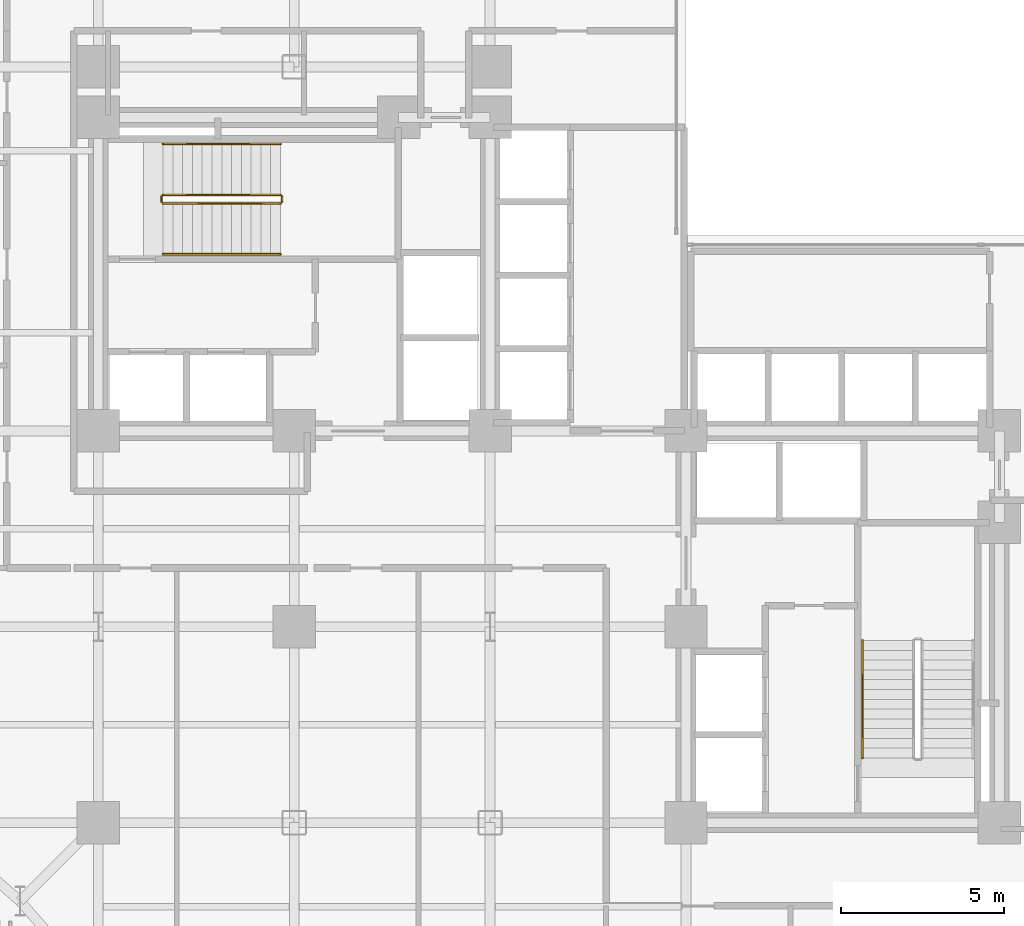
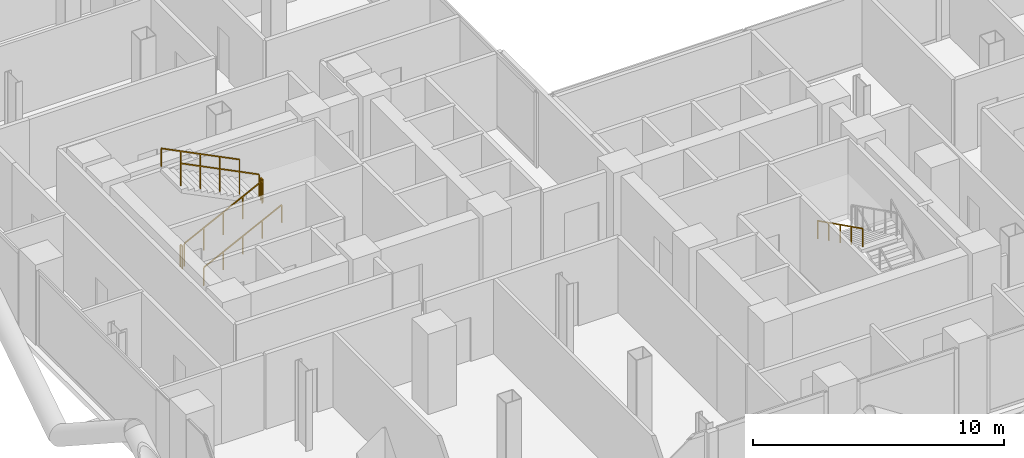
# One storey, part 25 of 27: 7 railings.
"""IFC4 building model written with IfcOpenShell, lengths in metres."""

from ifc_helpers import new_model, si_unit, direction, frame, origin, origin_2d, place, context, subcontext, project, spatial, rectangle, extrude, material, type_object, element, save


model = new_model("IFC4")

# Units and contexts
model_context = context("Model", 3, precision=1e-05, world=origin(), true_north=direction((0.0, 1.0)))
body_context = subcontext(model_context, "Body", "Model", "MODEL_VIEW")
ifc_project = project(units=[si_unit("LENGTHUNIT", "METRE"), si_unit("AREAUNIT", "SQUARE_METRE"), si_unit("VOLUMEUNIT", "CUBIC_METRE"), si_unit("PLANEANGLEUNIT", "RADIAN"), si_unit("MASSUNIT", "GRAM", prefix="KILO"), si_unit("THERMODYNAMICTEMPERATUREUNIT", "KELVIN"), si_unit("POWERUNIT", "WATT")], contexts=[model_context])

# Site, building, storey
site_placement = place(None, origin())
site = spatial("IfcSite", under=ifc_project, at=site_placement, CompositionType="ELEMENT")
building_placement = place(site_placement, origin())
building = spatial("IfcBuilding", under=site, at=building_placement, Name="Svarakhadi Broadcast Tower", CompositionType="ELEMENT")
storey_placement = place(building_placement, frame((0.0, 0.0, 55.800048828125)))
storey = spatial("IfcBuildingStorey", under=building, at=storey_placement, Name="L12", CompositionType="ELEMENT", Elevation=55.800048828125)

# Railings
ifc_material = material(Name="Anodised Bronze Aluminium AA 6063-T6", Category="aluminium")
railing_type_1 = type_object("IfcRailingType", Name="Guard_Stair_GR01", PredefinedType="GUARDRAIL", material=ifc_material)
railing_1_placement = place(storey_placement, frame((7.97998046875, 24.969970703125, 0.14990234375)))
element("IfcRailing", 1, at=railing_1_placement, inside=storey, type_object=railing_type_1, Name="L12 ST-01 stair guard 1", PredefinedType="GUARDRAIL", context=body_context, shape_type="SweptSolid", body=[
    extrude(rectangle(XDim=0.048095703125, YDim=0.048095703125, at=origin_2d()), frame((0.0, 0.0, 1.09619140625), z_axis=(0.894427191, 0.0, 0.4472135955), x_axis=(0.0, 1.0, 0.0)), (0.0, 0.0, 1.0), 4.025146484375),
    extrude(rectangle(XDim=0.0419921875, YDim=0.0419921875, at=origin_2d()), origin(), (0.0, 0.0, 1.0), 1.072021484375),
    extrude(rectangle(XDim=0.0419921875, YDim=0.0419921875, at=origin_2d()), frame((0.89990234375, 0.0, 0.449951171875)), (0.0, 0.0, 1.0), 1.072021484375),
    extrude(rectangle(XDim=0.0419921875, YDim=0.0419921875, at=origin_2d()), frame((1.800048828125, 0.0, 0.89990234375)), (0.0, 0.0, 1.0), 1.072021484375),
    extrude(rectangle(XDim=0.0419921875, YDim=0.0419921875, at=origin_2d()), frame((2.7001953125, 0.0, 1.35009765625)), (0.0, 0.0, 1.0), 1.072021484375),
    extrude(rectangle(XDim=0.0419921875, YDim=0.0419921875, at=origin_2d()), frame((3.60009765625, 0.0, 1.800048828125)), (0.0, 0.0, 1.0), 1.072021484375),
])
railing_2_placement = place(storey_placement, frame((11.6298828125, 25.02001953125, 1.949951171875)))
element("IfcRailing", 2, at=railing_2_placement, inside=storey, type_object=railing_type_1, Name="L12 ST-01 stair guard 2", PredefinedType="GUARDRAIL", context=body_context, shape_type="SweptSolid", body=[
    extrude(rectangle(XDim=0.048095703125, YDim=0.048095703125, at=origin_2d()), frame((0.0, 0.0, 1.09619140625), z_axis=(0.0, 1.0, 0.0), x_axis=(-1.0, 0.0, 0.0)), (0.0, 0.0, 1.0), 0.159912109375),
    extrude(rectangle(XDim=0.0419921875, YDim=0.0419921875, at=origin_2d()), origin(), (0.0, 0.0, 1.0), 1.072021484375),
    extrude(rectangle(XDim=0.0419921875, YDim=0.0419921875, at=origin_2d()), frame((0.0, 0.159912109375, 0.0)), (0.0, 0.0, 1.0), 1.072021484375),
])
railing_3_placement = place(storey_placement, frame((11.580078125, 25.22998046875, 2.099853515625)))
element("IfcRailing", 3, at=railing_3_placement, inside=storey, type_object=railing_type_1, Name="L12 ST-01 stair guard 3", PredefinedType="GUARDRAIL", context=body_context, shape_type="SweptSolid", body=[
    extrude(rectangle(XDim=0.048095703125, YDim=0.048095703125, at=origin_2d()), frame((0.0, 0.0, 1.09619140625), z_axis=(-0.894427191, 0.0, 0.4472135955), x_axis=(0.0, -1.0, 0.0)), (0.0, 0.0, 1.0), 4.025146484375),
    extrude(rectangle(XDim=0.0419921875, YDim=0.0419921875, at=origin_2d()), origin(), (0.0, 0.0, 1.0), 1.072021484375),
    extrude(rectangle(XDim=0.0419921875, YDim=0.0419921875, at=origin_2d()), frame((-0.89990234375, 0.0, 0.449951171875)), (0.0, 0.0, 1.0), 1.072021484375),
    extrude(rectangle(XDim=0.0419921875, YDim=0.0419921875, at=origin_2d()), frame((-1.800048828125, 0.0, 0.89990234375)), (0.0, 0.0, 1.0), 1.072021484375),
    extrude(rectangle(XDim=0.0419921875, YDim=0.0419921875, at=origin_2d()), frame((-2.7001953125, 0.0, 1.35009765625)), (0.0, 0.0, 1.0), 1.072021484375),
    extrude(rectangle(XDim=0.0419921875, YDim=0.0419921875, at=origin_2d()), frame((-3.60009765625, 0.0, 1.800048828125)), (0.0, 0.0, 1.0), 1.072021484375),
])
railing_4_placement = place(storey_placement, frame((7.929931640625, 25.02001953125, 0.0)))
element("IfcRailing", 4, at=railing_4_placement, inside=storey, type_object=railing_type_1, Name="L12 ST-01 stair guard 4", PredefinedType="GUARDRAIL", context=body_context, shape_type="SweptSolid", body=[
    extrude(rectangle(XDim=0.048095703125, YDim=0.048095703125, at=origin_2d()), frame((0.0, 0.0, 1.09619140625), z_axis=(0.0, 1.0, 0.0), x_axis=(-1.0, 0.0, 0.0)), (0.0, 0.0, 1.0), 0.159912109375),
    extrude(rectangle(XDim=0.0419921875, YDim=0.0419921875, at=origin_2d()), origin(), (0.0, 0.0, 1.0), 1.072021484375),
    extrude(rectangle(XDim=0.0419921875, YDim=0.0419921875, at=origin_2d()), frame((0.0, 0.159912109375, 0.0)), (0.0, 0.0, 1.0), 1.072021484375),
])
railing_type_2 = type_object("IfcRailingType", Name="Handrail_Stair_HR01", PredefinedType="HANDRAIL", material=ifc_material)
railing_5_placement = place(storey_placement, frame((7.97998046875, 23.409912109375, 0.14990234375)))
element("IfcRailing", 5, at=railing_5_placement, inside=storey, type_object=railing_type_2, Name="L12 ST-01 stair handrail 1", PredefinedType="HANDRAIL", context=body_context, shape_type="SweptSolid", body=[
    extrude(rectangle(XDim=0.048095703125, YDim=0.048095703125, at=origin_2d()), frame((0.0, 0.0, 0.8759765625), z_axis=(0.894427191, 0.0, 0.4472135955), x_axis=(0.0, 1.0, 0.0)), (0.0, 0.0, 1.0), 4.025146484375),
    extrude(rectangle(XDim=0.0419921875, YDim=0.0419921875, at=origin_2d()), origin(), (0.0, 0.0, 1.0), 0.851806640625),
    extrude(rectangle(XDim=0.0419921875, YDim=0.0419921875, at=origin_2d()), frame((0.89990234375, 0.0, 0.449951171875)), (0.0, 0.0, 1.0), 0.851806640625),
    extrude(rectangle(XDim=0.0419921875, YDim=0.0419921875, at=origin_2d()), frame((1.800048828125, 0.0, 0.89990234375)), (0.0, 0.0, 1.0), 0.851806640625),
    extrude(rectangle(XDim=0.0419921875, YDim=0.0419921875, at=origin_2d()), frame((2.7001953125, 0.0, 1.35009765625)), (0.0, 0.0, 1.0), 0.851806640625),
    extrude(rectangle(XDim=0.0419921875, YDim=0.0419921875, at=origin_2d()), frame((3.60009765625, 0.0, 1.800048828125)), (0.0, 0.0, 1.0), 0.851806640625),
])
railing_6_placement = place(storey_placement, frame((11.580078125, 26.7900390625, 2.099853515625)))
element("IfcRailing", 6, at=railing_6_placement, inside=storey, type_object=railing_type_2, Name="L12 ST-01 stair handrail 2", PredefinedType="HANDRAIL", context=body_context, shape_type="SweptSolid", body=[
    extrude(rectangle(XDim=0.048095703125, YDim=0.048095703125, at=origin_2d()), frame((0.0, 0.0, 0.8759765625), z_axis=(-0.894427191, 0.0, 0.4472135955), x_axis=(0.0, -1.0, 0.0)), (0.0, 0.0, 1.0), 4.025146484375),
    extrude(rectangle(XDim=0.0419921875, YDim=0.0419921875, at=origin_2d()), origin(), (0.0, 0.0, 1.0), 0.851806640625),
    extrude(rectangle(XDim=0.0419921875, YDim=0.0419921875, at=origin_2d()), frame((-0.89990234375, 0.0, 0.449951171875)), (0.0, 0.0, 1.0), 0.851806640625),
    extrude(rectangle(XDim=0.0419921875, YDim=0.0419921875, at=origin_2d()), frame((-1.800048828125, 0.0, 0.89990234375)), (0.0, 0.0, 1.0), 0.851806640625),
    extrude(rectangle(XDim=0.0419921875, YDim=0.0419921875, at=origin_2d()), frame((-2.7001953125, 0.0, 1.35009765625)), (0.0, 0.0, 1.0), 0.851806640625),
    extrude(rectangle(XDim=0.0419921875, YDim=0.0419921875, at=origin_2d()), frame((-3.60009765625, 0.0, 1.800048828125)), (0.0, 0.0, 1.0), 0.851806640625),
])
railing_7_placement = place(storey_placement, frame((29.409912109375, 11.580078125, 2.099853515625)))
element("IfcRailing", 7, at=railing_7_placement, inside=storey, type_object=railing_type_2, Name="L12 ST-02 stair handrail 2", PredefinedType="HANDRAIL", context=body_context, shape_type="SweptSolid", body=[
    extrude(rectangle(XDim=0.048095703125, YDim=0.048095703125, at=origin_2d()), frame((0.0, 0.0, 0.8759765625), z_axis=(0.0, -0.894427191, 0.4472135955), x_axis=(1.0, 0.0, 0.0)), (0.0, 0.0, 1.0), 4.025146484375),
    extrude(rectangle(XDim=0.0419921875, YDim=0.0419921875, at=origin_2d()), origin(), (0.0, 0.0, 1.0), 0.851806640625),
    extrude(rectangle(XDim=0.0419921875, YDim=0.0419921875, at=origin_2d()), frame((0.0, -0.89990234375, 0.449951171875)), (0.0, 0.0, 1.0), 0.851806640625),
    extrude(rectangle(XDim=0.0419921875, YDim=0.0419921875, at=origin_2d()), frame((0.0, -1.800048828125, 0.89990234375)), (0.0, 0.0, 1.0), 0.851806640625),
    extrude(rectangle(XDim=0.0419921875, YDim=0.0419921875, at=origin_2d()), frame((0.0, -2.7001953125, 1.35009765625)), (0.0, 0.0, 1.0), 0.851806640625),
    extrude(rectangle(XDim=0.0419921875, YDim=0.0419921875, at=origin_2d()), frame((0.0, -3.60009765625, 1.800048828125)), (0.0, 0.0, 1.0), 0.851806640625),
])

save(model, "model.ifc")
